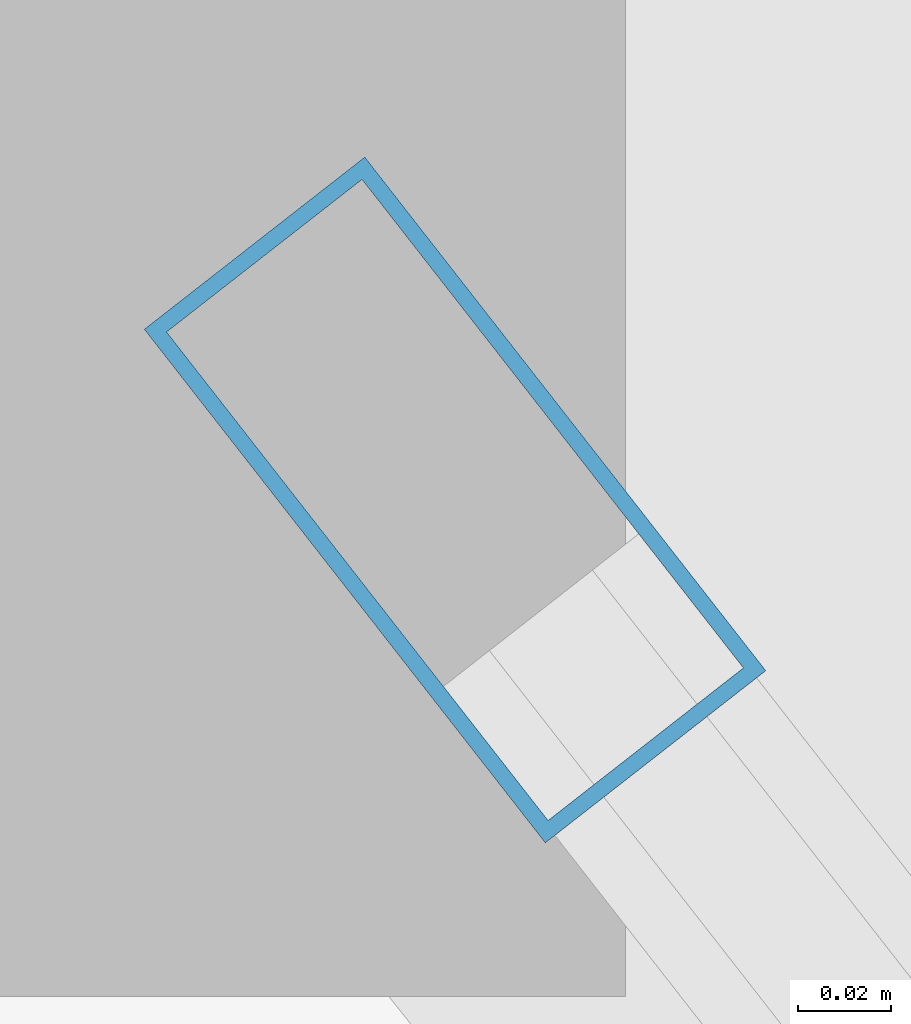
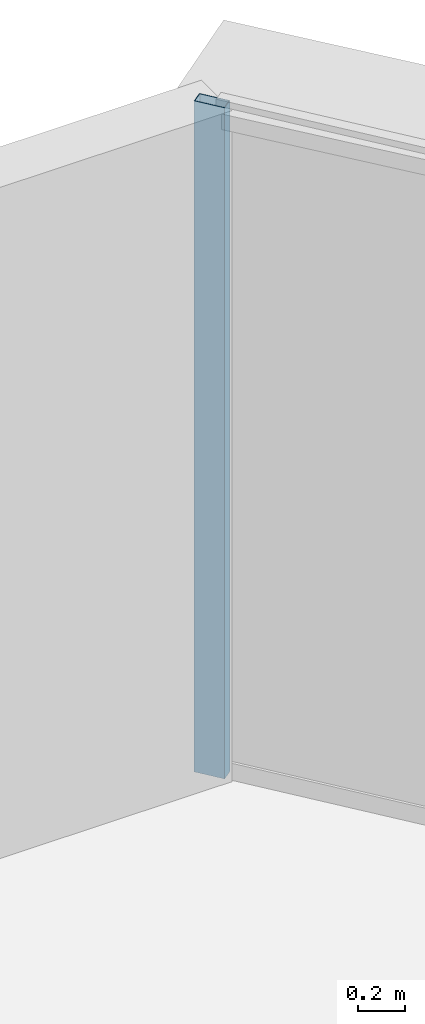
# One storey, part 25 of 37: 1 member, 1 element without a shape of its own.
"""IFC4 building model written with IfcOpenShell, lengths in metres."""

from ifc_helpers import new_model, si_unit, direction, frame, origin, origin_2d, place, context, subcontext, project, spatial, hollow_rectangle, extrude, source, transform, mapped, material, layer, layer_set, material_profile, profile_set, type_object, element, aggregate, save


model = new_model("IFC4")

# Units and contexts
model_context = context("Model", 3, precision=1e-05, world=origin(), true_north=direction((0.0, 1.0)))
body_context = subcontext(model_context, "Body", "Model", "MODEL_VIEW")
ifc_project = project(units=[si_unit("LENGTHUNIT", "METRE"), si_unit("AREAUNIT", "SQUARE_METRE"), si_unit("VOLUMEUNIT", "CUBIC_METRE"), si_unit("PLANEANGLEUNIT", "RADIAN"), si_unit("MASSUNIT", "GRAM", prefix="KILO"), si_unit("THERMODYNAMICTEMPERATUREUNIT", "KELVIN"), si_unit("POWERUNIT", "WATT")], contexts=[model_context])

# Site, building, storey
site_placement = place(None, origin())
site = spatial("IfcSite", under=ifc_project, at=site_placement, CompositionType="ELEMENT")
building_placement = place(site_placement, origin())
building = spatial("IfcBuilding", under=site, at=building_placement, Name="Yunzhuo Pagoda Commons", CompositionType="ELEMENT")
storey_placement = place(building_placement, frame((0.0, 0.0, 259.449951171875)))
storey = spatial("IfcBuildingStorey", under=building, at=storey_placement, Name="L65", CompositionType="ELEMENT", Elevation=259.449951171875)

# Curtain wall, member
ifc_material = material(Name="Anodized aluminium 6063-T6", Category="aluminium")
ifc_layer = layer(ifc_material, 0.139892578125)
ifc_layer_set = layer_set([ifc_layer], Name="Anodized aluminium 6063-T6")
curtain_wall_type = type_object("IfcCurtainWallType", Name="CW-HI High-Zone Ribbon Curtain Wall", PredefinedType="NOTDEFINED", material=ifc_layer_set)
curtain_wall_placement = place(storey_placement, origin())
curtain_wall = element("IfcCurtainWall", 1, at=curtain_wall_placement, inside=storey, type_object=curtain_wall_type, Name="L65 curtain wall CW-L65-F2B5", PredefinedType="NOTDEFINED")
ifc_material_profile = material_profile(ifc_material, hollow_rectangle(XDim=0.06005859375, YDim=0.139892578125, WallThickness=0.00341796875, at=origin_2d()), Name="Anodized aluminium 6063-T6")
ifc_profile_set = profile_set([ifc_material_profile], Name="Anodized aluminium 6063-T6")
member_type = type_object("IfcMemberType", Name="CW-HI-M Mullion RHS 140x60x3.5", PredefinedType="MULLION", material=ifc_profile_set)
shared_shape = source(origin(), body_context, "Body", "SweptSolid", [
    extrude(hollow_rectangle(XDim=0.06005859375, YDim=0.139892578125, WallThickness=0.00341796875, at=origin_2d()), origin(), (0.0, 0.0, 1.0), 3.469970703125),
])
member_placement = place(storey_placement, frame((51.789794921875, 78.773681640625, 0.0), z_axis=(0.0, 0.0, 1.0), x_axis=(-0.788189580024, -0.615432519405, 0.0)))
member = element("IfcMember", 2, at=member_placement, type_object=member_type, Name="CW mullion 2", PredefinedType="MULLION", context=body_context, shape_type="MappedRepresentation", body=[
    mapped(shared_shape, transform((0.0, 0.0, 0.0), scale=1.0)),
])
aggregate(curtain_wall, [member])

save(model, "model.ifc")
